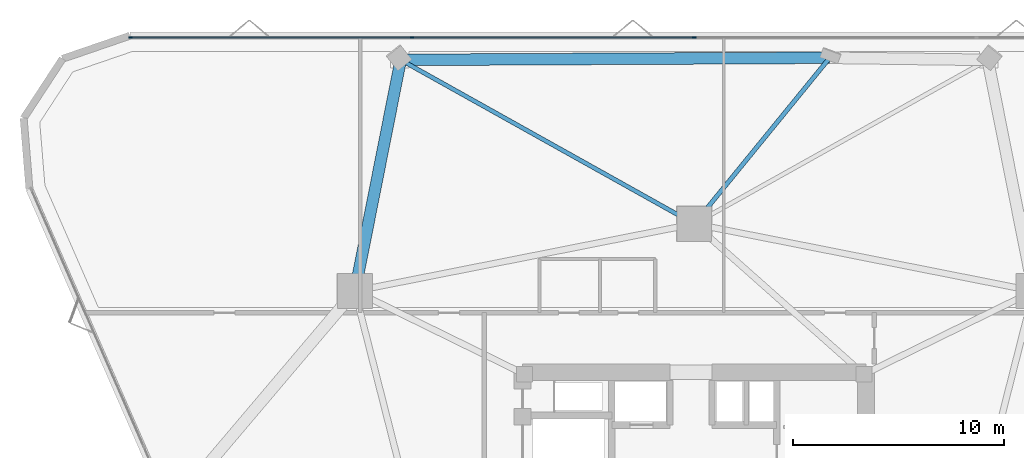
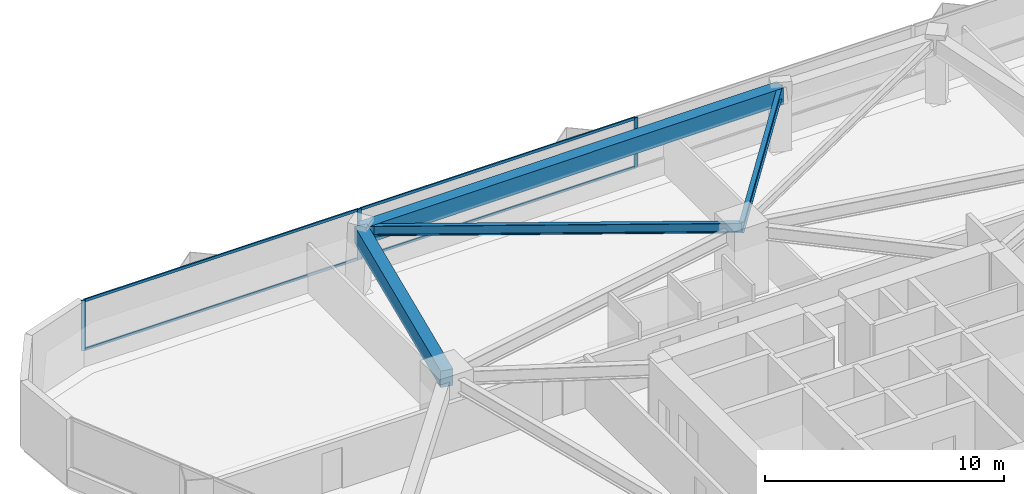
# One storey, part 11 of 20: 7 members, 4 beams, 1 element without a shape of its own.
"""IFC4 building model written with IfcOpenShell, lengths in metres."""

import ifcopenshell
import ifcopenshell.guid

model = None  # the IFC model being written
_history = None  # IfcOwnerHistory: only IFC2X3 demands one
_inside = {}  # id of a spatial element -> (the spatial element, [elements in it])
_under = {}  # id of a project, library or spatial element -> (it, [spatial elements below it])
_declared = {}  # id of a project -> (the project, [libraries it declares])
_typed = {}  # id of a type object -> (the type object, [elements of that type])
_made_of = {}  # id of a material, layer set ... -> (it, [elements and type objects made of it])


def new_model(schema):
    """Start an empty IFC model of exactly this schema.

    Asked for "IFC4X3", IfcOpenShell would pick the latest addendum, in which some entities
    have other attributes; the version numbers below select the first issue.
    IFC2X3 requires an IfcOwnerHistory on every rooted entity: one is made here for all.
    """
    global model, _history
    if schema == "IFC4X3":
        model = ifcopenshell.file(schema_version=(4, 3, 0, 0))
    else:
        model = ifcopenshell.file(schema=schema)
    _inside.clear()
    _under.clear()
    _declared.clear()
    _typed.clear()
    _made_of.clear()
    _history = None
    if model.schema == "IFC2X3":
        org = make("IfcOrganization", Name="unknown")
        user = make(
            "IfcPersonAndOrganization",
            ThePerson=make("IfcPerson", FamilyName="unknown"),
            TheOrganization=org,
        )
        app = make(
            "IfcApplication",
            ApplicationDeveloper=org,
            Version="unknown",
            ApplicationFullName="unknown",
            ApplicationIdentifier="unknown",
        )
        _history = make(
            "IfcOwnerHistory",
            OwningUser=user,
            OwningApplication=app,
            ChangeAction="ADDED",
            CreationDate=0,
        )
    return model


def make(cls, **values):
    """One entity of the class cls with the attributes given. An attribute that is None is left unset."""
    return model.create_entity(
        cls, **{name: value for name, value in values.items() if value is not None}
    )


def rooted(cls, **values):
    """An entity with a GlobalId (a new one), such as an element, a storey or a relation."""
    return make(cls, GlobalId=ifcopenshell.guid.new(), OwnerHistory=_history, **values)


def si_unit(unit_type, name, prefix=None):
    """IfcSIUnit, for example si_unit("LENGTHUNIT", "METRE", prefix="MILLI")."""
    return make("IfcSIUnit", UnitType=unit_type, Prefix=prefix, Name=name)


def assignment(units):
    """IfcUnitAssignment: the units of a project."""
    return None if units is None else make("IfcUnitAssignment", Units=units)


def point(xyz):
    """IfcCartesianPoint."""
    return None if xyz is None else make("IfcCartesianPoint", Coordinates=xyz)


def direction(xyz):
    """IfcDirection."""
    return None if xyz is None else make("IfcDirection", DirectionRatios=xyz)


def frame(location, z_axis=None, x_axis=None):
    """IfcAxis2Placement3D, a coordinate frame: its origin and axes. An axis left out is left unset."""
    return make(
        "IfcAxis2Placement3D",
        Location=point(location),
        Axis=direction(z_axis),
        RefDirection=direction(x_axis),
    )


def frame_2d(location, x_axis=None):
    """IfcAxis2Placement2D, a coordinate frame in the plane: its origin and x axis."""
    return make(
        "IfcAxis2Placement2D", Location=point(location), RefDirection=direction(x_axis)
    )


def origin():
    """The frame at (0, 0, 0) with its axes left unset."""
    return frame((0.0, 0.0, 0.0))


def origin_2d():
    """The frame at (0, 0) in the plane with its x axis left unset."""
    return frame_2d((0.0, 0.0))


def place(relative_to, where):
    """IfcLocalPlacement: puts the frame where relative to a parent placement (None: the world)."""
    return make(
        "IfcLocalPlacement", PlacementRelTo=relative_to, RelativePlacement=where
    )


def context(
    kind, dimensions, precision=None, world=None, true_north=None, identifier=None
):
    """IfcGeometricRepresentationContext, for example the 3D "Model" context."""
    return make(
        "IfcGeometricRepresentationContext",
        ContextIdentifier=identifier,
        ContextType=kind,
        CoordinateSpaceDimension=dimensions,
        Precision=precision,
        WorldCoordinateSystem=world,
        TrueNorth=true_north,
    )


def subcontext(parent, identifier, kind, view, scale=None):
    """IfcGeometricRepresentationSubContext, for example "Body" below "Model"."""
    return make(
        "IfcGeometricRepresentationSubContext",
        ContextIdentifier=identifier,
        ContextType=kind,
        ParentContext=parent,
        TargetScale=scale,
        TargetView=view,
    )


def project(units=None, contexts=None):
    """IfcProject with its units and contexts."""
    return rooted(
        "IfcProject",
        Name="project",
        RepresentationContexts=contexts,
        UnitsInContext=assignment(units),
    )


def spatial(cls, under=None, at=None, **own):
    """A site, building, storey or space (cls), placed at a placement, below another one or the project."""
    s = rooted(cls, ObjectPlacement=at, **own)
    if under is not None:
        _under.setdefault(under.id(), (under, []))[1].append(s)
    return s


def profile(cls, at=None, kind="AREA", **sizes):
    """A parametric profile (cls). Its sizes go by their IFC names, for example OverallWidth=200.0."""
    return make(cls, ProfileType=kind, Position=at, **sizes)


def rectangle(**sizes):
    """IfcRectangleProfileDef."""
    return profile("IfcRectangleProfileDef", **sizes)


def i_section(**sizes):
    """IfcIShapeProfileDef."""
    return profile("IfcIShapeProfileDef", **sizes)


def extrude(swept, where, along, depth):
    """IfcExtrudedAreaSolid: the profile swept, set in the frame where, extruded along a direction by depth."""
    return make(
        "IfcExtrudedAreaSolid",
        SweptArea=swept,
        Position=where,
        ExtrudedDirection=direction(along),
        Depth=depth,
    )


def shape(context_of_items, identifier, shape_type, items):
    """IfcShapeRepresentation: the items that make up one representation, for example the "Body"."""
    return make(
        "IfcShapeRepresentation",
        ContextOfItems=context_of_items,
        RepresentationIdentifier=identifier,
        RepresentationType=shape_type,
        Items=items,
    )


def material(Name=None, Category=None):
    """IfcMaterial."""
    return make("IfcMaterial", Name=Name, Category=Category)


def layer(
    of_material, thickness, ventilated=None, Name=None, Category=None, Priority=None
):
    """IfcMaterialLayer: one layer of a wall or slab, of a material (None: an air gap)."""
    return make(
        "IfcMaterialLayer",
        Material=of_material,
        LayerThickness=thickness,
        IsVentilated=ventilated,
        Name=Name,
        Category=Category,
        Priority=Priority,
    )


def layer_set(layers, Name=None):
    """IfcMaterialLayerSet."""
    return make("IfcMaterialLayerSet", MaterialLayers=layers, LayerSetName=Name)


def material_profile(
    of_material, cross_section, Name=None, Category=None, Priority=None
):
    """IfcMaterialProfile: a cross section and its material."""
    return make(
        "IfcMaterialProfile",
        Name=Name,
        Material=of_material,
        Profile=cross_section,
        Priority=Priority,
        Category=Category,
    )


def profile_set(profiles, Name=None, composite=None):
    """IfcMaterialProfileSet."""
    return make(
        "IfcMaterialProfileSet",
        Name=Name,
        MaterialProfiles=profiles,
        CompositeProfile=composite,
    )


def made_of(thing, what):
    """Note that an element or type object is made of a material, layer set ...; save() writes the relation."""
    if what is not None:
        _made_of.setdefault(what.id(), (what, []))[1].append(thing)
    return thing


def type_object(cls, material=None, **own):
    """A type object (cls), such as IfcWallType, which elements share."""
    return made_of(rooted(cls, **own), material)


def element(
    cls,
    number,
    at=None,
    inside=None,
    cuts=None,
    type_object=None,
    material=None,
    context=None,
    identifier="Body",
    shape_type=None,
    held_by="IfcProductDefinitionShape",
    body=None,
    shapes=None,
    **own,
):
    """One element of the class cls, such as IfcWall. Its Tag is "e" and its number.

    at: its placement. inside: the storey or other place that contains it. cuts: it is an
    opening in that element (IfcRelVoidsElement). A single representation is given by context,
    identifier, shape_type and body (its items); several are given by shapes. held_by: the class
    of the entity that holds the representations. save() writes the other relations.
    """
    e = rooted(cls, Tag="e%d" % number, ObjectPlacement=at, **own)
    if body is not None:
        shapes = [shape(context, identifier, shape_type, body)]
    if shapes is not None:
        e.Representation = make(held_by, Representations=shapes)
    if inside is not None:
        _inside.setdefault(inside.id(), (inside, []))[1].append(e)
    if cuts is not None:
        rooted(
            "IfcRelVoidsElement", RelatingBuildingElement=cuts, RelatedOpeningElement=e
        )
    if type_object is not None:
        _typed.setdefault(type_object.id(), (type_object, []))[1].append(e)
    return made_of(e, material)


def aggregate(whole, parts):
    """IfcRelAggregates: a whole, such as a stair, and the parts it consists of."""
    return rooted("IfcRelAggregates", RelatingObject=whole, RelatedObjects=parts)


def save(model, path):
    """Write the relations noted so far, then the file.

    IfcRelAggregates (storeys below a building ...), IfcRelContainedInSpatialStructure (elements
    in a storey), IfcRelDefinesByType, IfcRelAssociatesMaterial and IfcRelDeclares: one each for
    every whole, place, type object, material and project.
    """
    for whole, parts in _under.values():
        aggregate(whole, parts)
    for where, things in _inside.values():
        rooted(
            "IfcRelContainedInSpatialStructure",
            RelatedElements=things,
            RelatingStructure=where,
        )
    for kind, things in _typed.values():
        rooted("IfcRelDefinesByType", RelatedObjects=things, RelatingType=kind)
    for what, things in _made_of.values():
        rooted("IfcRelAssociatesMaterial", RelatedObjects=things, RelatingMaterial=what)
    for by, libraries in _declared.values():
        rooted("IfcRelDeclares", RelatingContext=by, RelatedDefinitions=libraries)
    model.write(path)


model = new_model("IFC4")

# Units and contexts
model_context = context("Model", 3, precision=1e-05, world=origin(), true_north=direction((0.0, 1.0)))
body_context = subcontext(model_context, "Body", "Model", "MODEL_VIEW")
ifc_project = project(units=[si_unit("LENGTHUNIT", "METRE"), si_unit("AREAUNIT", "SQUARE_METRE"), si_unit("VOLUMEUNIT", "CUBIC_METRE"), si_unit("PLANEANGLEUNIT", "RADIAN"), si_unit("MASSUNIT", "GRAM", prefix="KILO")], contexts=[model_context])

# Site, building, storey
site_placement = place(None, origin())
site = spatial("IfcSite", under=ifc_project, at=site_placement, CompositionType="ELEMENT")
building_placement = place(site_placement, origin())
building = spatial("IfcBuilding", under=site, at=building_placement, Name="Talyreon Biosciences Tower", CompositionType="ELEMENT")
storey_placement = place(building_placement, frame((0.0, 0.0, 78.64990234375)))
storey = spatial("IfcBuildingStorey", under=building, at=storey_placement, Name="L20", CompositionType="ELEMENT", Elevation=78.64990234375)

# Curtain wall, members
ifc_material_1 = material(Name="Thermally broken aluminium and low-E glazing", Category="aluminium")
ifc_layer = layer(ifc_material_1, 0.18994140625)
ifc_layer_set = layer_set([ifc_layer], Name="Thermally broken aluminium and low-E glazing")
curtain_wall_type = type_object("IfcCurtainWallType", Name="CurtainWall_Zone2Genomics", PredefinedType="NOTDEFINED", material=ifc_layer_set)
curtain_wall_placement = place(storey_placement, origin())
curtain_wall = element("IfcCurtainWall", 1, at=curtain_wall_placement, inside=storey, type_object=curtain_wall_type, Name="L20 Unitised Curtain Wall FCW-L20-04", PredefinedType="NOTDEFINED")
ifc_material_2 = material(Name="Anodised thermally broken aluminium", Category="aluminium")
ifc_material_profile_1 = material_profile(ifc_material_2, rectangle(XDim=0.06494140625, YDim=0.179931640625, at=origin_2d()), Name="ALUM MULLION 65x180")
ifc_profile_set_1 = profile_set([ifc_material_profile_1], Name="Anodised thermally broken aluminium")
member_type_1 = type_object("IfcMemberType", Name="CWMullion_65x180", PredefinedType="MULLION", material=ifc_profile_set_1)
member_1_placement = place(storey_placement, frame((39.247802734375, 90.64013671875, 0.81005859375), z_axis=(0.0, 0.0, 1.0), x_axis=(0.0, 1.0, 0.0)))
member_1 = element("IfcMember", 2, at=member_1_placement, type_object=member_type_1, Name="CW3 mullion 1", PredefinedType="MULLION", context=body_context, shape_type="SweptSolid", body=[
    extrude(rectangle(XDim=0.06494140625, YDim=0.179931640625, at=origin_2d()), origin(), (0.0, 0.0, 1.0), 2.56494140625),
])
member_2_placement = place(storey_placement, frame((52.607666015625, 90.64013671875, 0.81005859375), z_axis=(0.0, 0.0, 1.0), x_axis=(0.0, 1.0, 0.0)))
member_2 = element("IfcMember", 3, at=member_2_placement, type_object=member_type_1, Name="CW3 mullion 2", PredefinedType="MULLION", context=body_context, shape_type="SweptSolid", body=[
    extrude(rectangle(XDim=0.06494140625, YDim=0.179931640625, at=origin_2d()), origin(), (0.0, 0.0, 1.0), 2.56494140625),
])
member_3_placement = place(storey_placement, frame((66.0, 90.64013671875, 0.81005859375), z_axis=(0.0, 0.0, 1.0), x_axis=(0.0, 1.0, 0.0)))
member_3 = element("IfcMember", 4, at=member_3_placement, type_object=member_type_1, Name="CW3 mullion 3", PredefinedType="MULLION", context=body_context, shape_type="SweptSolid", body=[
    extrude(rectangle(XDim=0.06494140625, YDim=0.179931640625, at=origin_2d()), origin(), (0.0, 0.0, 1.0), 2.56494140625),
])
ifc_material_profile_2 = material_profile(ifc_material_2, rectangle(XDim=0.06494140625, YDim=0.139892578125, at=origin_2d()), Name="ALUM TRANSOM 65x140")
ifc_profile_set_2 = profile_set([ifc_material_profile_2], Name="Anodised thermally broken aluminium")
member_type_2 = type_object("IfcMemberType", Name="CWTransom_65x140", PredefinedType="USERDEFINED", material=ifc_profile_set_2)
member_4_placement = place(storey_placement, frame((39.280517578125, 90.64013671875, 0.842529296875), z_axis=(1.0, 0.0, 0.0), x_axis=(0.0, 1.0, 0.0)))
member_4 = element("IfcMember", 5, at=member_4_placement, type_object=member_type_2, Name="CW3 transom 1.1", ObjectType="TRANSOM", PredefinedType="USERDEFINED", context=body_context, shape_type="SweptSolid", body=[
    extrude(rectangle(XDim=0.06494140625, YDim=0.139892578125, at=origin_2d()), origin(), (0.0, 0.0, 1.0), 13.294677734375),
])
member_5_placement = place(storey_placement, frame((39.280517578125, 90.64013671875, 3.342529296875), z_axis=(1.0, 0.0, 0.0), x_axis=(0.0, 1.0, 0.0)))
member_5 = element("IfcMember", 6, at=member_5_placement, type_object=member_type_2, Name="CW3 transom 1.2", ObjectType="TRANSOM", PredefinedType="USERDEFINED", context=body_context, shape_type="SweptSolid", body=[
    extrude(rectangle(XDim=0.06494140625, YDim=0.139892578125, at=origin_2d()), origin(), (0.0, 0.0, 1.0), 13.294677734375),
])
member_6_placement = place(storey_placement, frame((52.64013671875, 90.64013671875, 0.842529296875), z_axis=(1.0, 0.0, 0.0), x_axis=(0.0, 1.0, 0.0)))
member_6 = element("IfcMember", 7, at=member_6_placement, type_object=member_type_2, Name="CW3 transom 2.1", ObjectType="TRANSOM", PredefinedType="USERDEFINED", context=body_context, shape_type="SweptSolid", body=[
    extrude(rectangle(XDim=0.06494140625, YDim=0.139892578125, at=origin_2d()), origin(), (0.0, 0.0, 1.0), 13.327392578125),
])
member_7_placement = place(storey_placement, frame((52.64013671875, 90.64013671875, 3.342529296875), z_axis=(1.0, 0.0, 0.0), x_axis=(0.0, 1.0, 0.0)))
member_7 = element("IfcMember", 8, at=member_7_placement, type_object=member_type_2, Name="CW3 transom 2.2", ObjectType="TRANSOM", PredefinedType="USERDEFINED", context=body_context, shape_type="SweptSolid", body=[
    extrude(rectangle(XDim=0.06494140625, YDim=0.139892578125, at=origin_2d()), origin(), (0.0, 0.0, 1.0), 13.327392578125),
])
aggregate(curtain_wall, [member_1, member_2, member_3, member_4, member_5, member_6, member_7])

# Beams
ifc_material_3 = material(Name="Precast concrete C45/55", Category="concrete")
ifc_material_profile_3 = material_profile(ifc_material_3, rectangle(XDim=0.550048828125, YDim=0.85009765625, at=origin_2d()), Name="RCB 550x850")
ifc_profile_set_3 = profile_set([ifc_material_profile_3], Name="Precast concrete C45/55")
beam_type_1 = type_object("IfcBeamType", Name="ExpressedSpandrel_550x850", PredefinedType="SPANDREL", material=ifc_profile_set_3)
beam_1_placement = place(storey_placement, frame((72.42822265625, 89.670166015625, 2.9501953125), z_axis=(-0.999987969175, -0.004905252874, 0.0), x_axis=(0.004905252874, -0.999987969175, 0.0)))
element("IfcBeam", 9, at=beam_1_placement, inside=storey, type_object=beam_type_1, Name="L20 Expressed Horizontal Concrete Spandrel 07", PredefinedType="SPANDREL", context=body_context, shape_type="SweptSolid", body=[
    extrude(rectangle(XDim=0.550048828125, YDim=0.85009765625, at=origin_2d()), origin(), (0.0, 0.0, 1.0), 20.3564453125),
])
beam_2_placement = place(storey_placement, frame((52.072021484375, 89.5703125, 2.9501953125), z_axis=(-0.194394826529, -0.980923366741, 0.0), x_axis=(0.980923366741, -0.194394826529, 0.0)))
element("IfcBeam", 10, at=beam_2_placement, inside=storey, type_object=beam_type_1, Name="L20 Expressed Horizontal Concrete Spandrel 08", PredefinedType="SPANDREL", context=body_context, shape_type="SweptSolid", body=[
    extrude(rectangle(XDim=0.550048828125, YDim=0.85009765625, at=origin_2d()), origin(), (0.0, 0.0, 1.0), 11.18505859375),
])
ifc_material_4 = material(Name="Steel SM355", Category="steel")
ifc_material_profile_4 = material_profile(ifc_material_4, i_section(OverallWidth=0.199951171875, OverallDepth=0.5, WebThickness=0.01025390625, FlangeThickness=0.01611328125, FilletRadius=0.02099609375, at=origin_2d()), Name="IPE500")
ifc_profile_set_4 = profile_set([ifc_material_profile_4], Name="Steel SM355")
beam_type_2 = type_object("IfcBeamType", Name="SteelJoist_IPE500", PredefinedType="JOIST", material=ifc_profile_set_4)
beam_3_placement = place(storey_placement, frame((66.0, 81.788818359375, 3.125), z_axis=(-0.872991201121, 0.487735955991, 0.0), x_axis=(-0.487735955991, -0.872991201121, 0.0)))
element("IfcBeam", 11, at=beam_3_placement, inside=storey, type_object=beam_type_2, Name="L20 Radial Composite Floor Joist PC-N2", PredefinedType="JOIST", context=body_context, shape_type="SweptSolid", body=[
    extrude(i_section(OverallWidth=0.199951171875, OverallDepth=0.5, WebThickness=0.01025390625, FlangeThickness=0.01611328125, FilletRadius=0.02099609375, at=origin_2d()), origin(), (0.0, 0.0, 1.0), 15.954345703125),
])
ifc_material_profile_5 = material_profile(ifc_material_4, i_section(OverallWidth=0.2099609375, OverallDepth=0.550048828125, WebThickness=0.010986328125, FlangeThickness=0.01708984375, FilletRadius=0.02392578125, at=origin_2d()), Name="IPE550")
ifc_profile_set_5 = profile_set([ifc_material_profile_5], Name="Steel SM355")
beam_type_3 = type_object("IfcBeamType", Name="SteelJoist_IPE550", PredefinedType="JOIST", material=ifc_profile_set_5)
beam_4_placement = place(storey_placement, frame((66.0, 81.788818359375, 3.10009765625), z_axis=(0.632050108194, 0.774927519663, 0.0), x_axis=(-0.774927519663, 0.632050108194, 0.0)))
element("IfcBeam", 12, at=beam_4_placement, inside=storey, type_object=beam_type_3, Name="L20 Radial Composite Floor Joist PL-N", PredefinedType="JOIST", context=body_context, shape_type="SweptSolid", body=[
    extrude(i_section(OverallWidth=0.2099609375, OverallDepth=0.550048828125, WebThickness=0.010986328125, FlangeThickness=0.01708984375, FilletRadius=0.02392578125, at=origin_2d()), origin(), (0.0, 0.0, 1.0), 10.17041015625),
])

save(model, "model.ifc")
